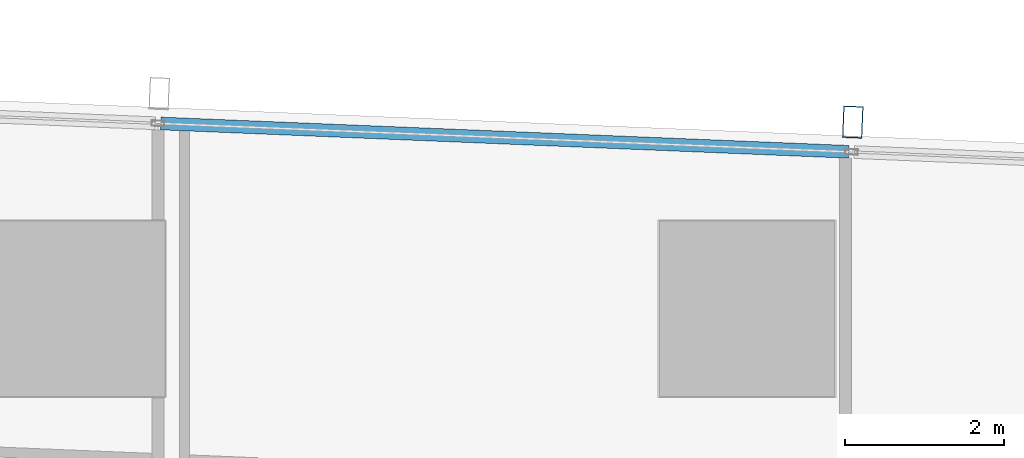
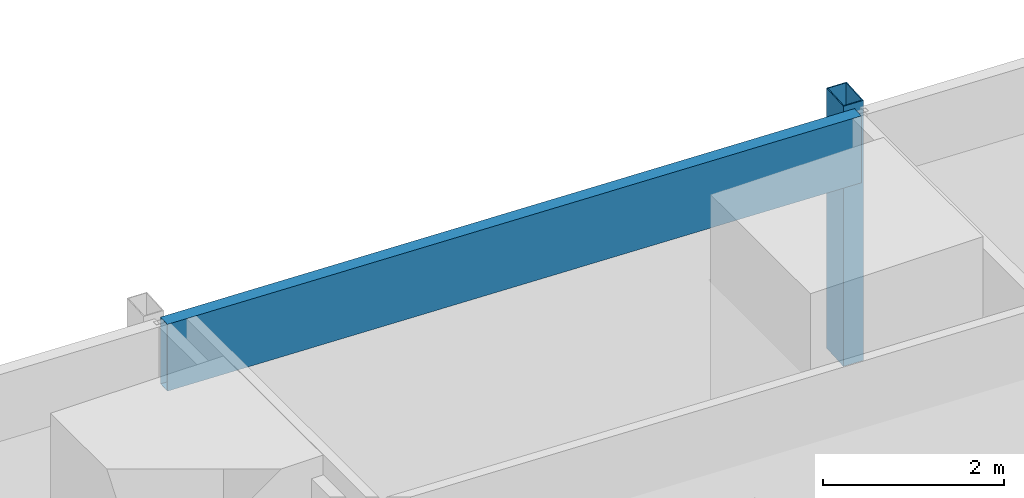
# One storey, part 24 of 45: 2 members, 1 element without a shape of its own.
"""IFC4 building model written with IfcOpenShell, lengths in metres."""

from ifc_helpers import new_model, si_unit, direction, frame, origin, origin_2d, place, context, subcontext, project, spatial, hollow_rectangle, extrude, material, material_profile, profile_set, type_object, element, aggregate, save


model = new_model("IFC4")

# Units and contexts
model_context = context("Model", 3, precision=1e-05, world=origin(), true_north=direction((0.0, 1.0)))
body_context = subcontext(model_context, "Body", "Model", "MODEL_VIEW")
ifc_project = project(units=[si_unit("LENGTHUNIT", "METRE"), si_unit("AREAUNIT", "SQUARE_METRE"), si_unit("VOLUMEUNIT", "CUBIC_METRE"), si_unit("PLANEANGLEUNIT", "RADIAN"), si_unit("MASSUNIT", "GRAM", prefix="KILO")], contexts=[model_context])

# Site, building, storey
site_placement = place(None, origin())
site = spatial("IfcSite", under=ifc_project, at=site_placement, CompositionType="ELEMENT")
building_placement = place(site_placement, origin())
building = spatial("IfcBuilding", under=site, at=building_placement, Name="Rekha Terrace Tower", CompositionType="ELEMENT")
storey_placement = place(building_placement, frame((0.0, 0.0, 44.14990234375)))
storey = spatial("IfcBuildingStorey", under=building, at=storey_placement, Name="L10", CompositionType="ELEMENT", Elevation=44.14990234375)

# Curtain wall, members
ifc_material_1 = material(Name="Aluminium framing", Category="aluminium")
curtain_wall_type = type_object("IfcCurtainWallType", Name="CW3 north unitised glazing", PredefinedType="USERDEFINED", material=ifc_material_1)
curtain_wall_placement = place(storey_placement, origin())
curtain_wall = element("IfcCurtainWall", 1, at=curtain_wall_placement, inside=storey, type_object=curtain_wall_type, Name="CW3 unitised curtain wall", ObjectType="UNITISED CURTAIN WALL", PredefinedType="USERDEFINED")
ifc_material_2 = material(Name="Steel S355 with fluorocarbon finish", Category="steel")
ifc_material_profile_1 = material_profile(ifc_material_2, hollow_rectangle(XDim=0.25, YDim=0.39990234375, WallThickness=0.012451171875, at=origin_2d()), Name="RHS400x250x12.5")
ifc_profile_set_1 = profile_set([ifc_material_profile_1], Name="Steel S355 with fluorocarbon finish")
member_type_1 = type_object("IfcMemberType", Name="BL1 facade blade RHS 400 x 250", PredefinedType="USERDEFINED", material=ifc_profile_set_1)
member_1_placement = place(storey_placement, frame((60.126953125, 61.140869140625, 0.0), z_axis=(0.0, 0.0, 1.0), x_axis=(-0.99915196507, 0.041174636562, 0.0)))
member_1 = element("IfcMember", 2, at=member_1_placement, type_object=member_type_1, Name="Facade blade", ObjectType="FACADE BLADE", PredefinedType="USERDEFINED", context=body_context, shape_type="SweptSolid", body=[
    extrude(hollow_rectangle(XDim=0.25, YDim=0.39990234375, WallThickness=0.012451171875, at=origin_2d()), origin(), (0.0, 0.0, 1.0), 3.5),
])
ifc_material_3 = material(Name="Insulated aluminium spandrel box", Category="aluminium")
ifc_material_profile_2 = material_profile(ifc_material_3, hollow_rectangle(XDim=0.159912109375, YDim=0.89990234375, WallThickness=0.0029296875, at=origin_2d()), Name="AL SPANDREL BOX 160x900")
ifc_profile_set_2 = profile_set([ifc_material_profile_2], Name="Insulated aluminium spandrel box")
member_type_2 = type_object("IfcMemberType", Name="CW3 spandrel transom 160 x 900", PredefinedType="USERDEFINED", material=ifc_profile_set_2)
member_2_placement = place(storey_placement, frame((60.07666015625, 60.767578125, 3.050048828125), z_axis=(-0.999152128669, 0.041170666459, 0.0), x_axis=(-0.041170666459, -0.999152128669, 0.0)))
member_2 = element("IfcMember", 3, at=member_2_placement, type_object=member_type_2, Name="CW3 spandrel transom 2", ObjectType="TRANSOM", PredefinedType="USERDEFINED", context=body_context, shape_type="SweptSolid", body=[
    extrude(hollow_rectangle(XDim=0.159912109375, YDim=0.89990234375, WallThickness=0.0029296875, at=origin_2d()), origin(), (0.0, 0.0, 1.0), 8.634033203125),
])
aggregate(curtain_wall, [member_2, member_1])

save(model, "model.ifc")
